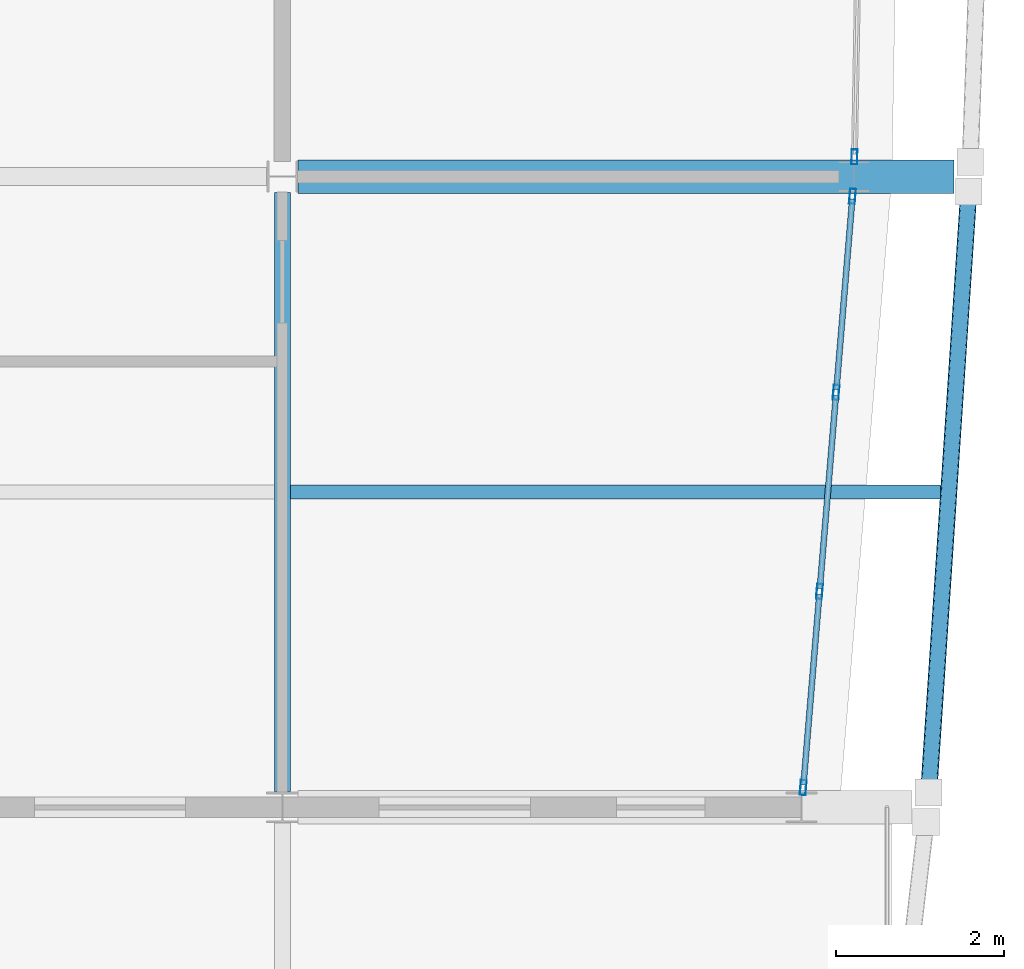
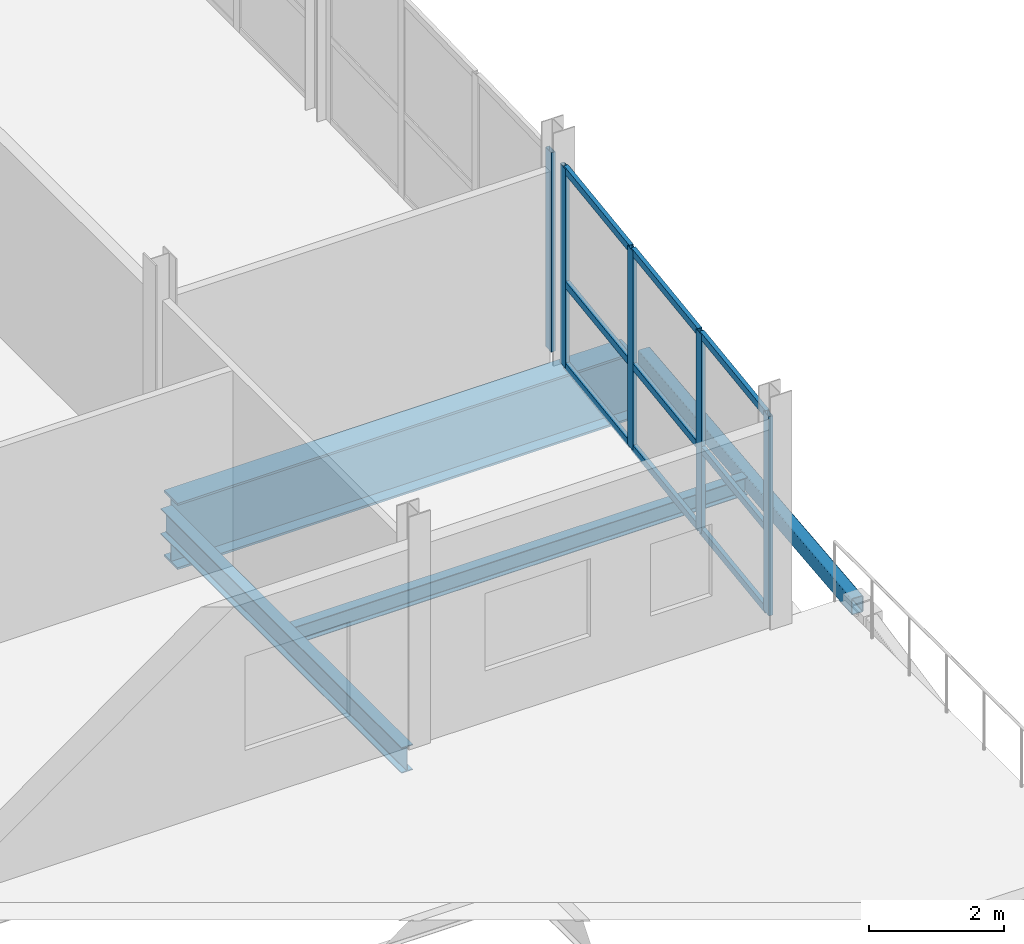
# One storey, part 3 of 19: 14 members, 4 beams, 2 elements without a shape of their own.
"""IFC4 building model written with IfcOpenShell, lengths in metres."""

from ifc_helpers import new_model, si_unit, direction, frame, origin, origin_2d, place, context, subcontext, project, spatial, hollow_rectangle, i_section, extrude, material, layer, layer_set, material_profile, profile_set, type_object, element, aggregate, save


model = new_model("IFC4")

# Units and contexts
model_context = context("Model", 3, precision=1e-05, world=origin(), true_north=direction((0.0, 1.0)))
body_context = subcontext(model_context, "Body", "Model", "MODEL_VIEW")
ifc_project = project(units=[si_unit("LENGTHUNIT", "METRE"), si_unit("AREAUNIT", "SQUARE_METRE"), si_unit("VOLUMEUNIT", "CUBIC_METRE"), si_unit("PLANEANGLEUNIT", "RADIAN"), si_unit("MASSUNIT", "GRAM", prefix="KILO")], contexts=[model_context])

# Site, building, storey
site_placement = place(None, origin())
site = spatial("IfcSite", under=ifc_project, at=site_placement, CompositionType="ELEMENT")
building_placement = place(site_placement, origin())
building = spatial("IfcBuilding", under=site, at=building_placement, Name="Quillay Park Conservatory", CompositionType="ELEMENT")
storey_placement = place(building_placement, frame((0.0, 0.0, 35.10009765625)))
storey = spatial("IfcBuildingStorey", under=building, at=storey_placement, Name="L08", CompositionType="ELEMENT", Elevation=35.10009765625)

# Beam
ifc_material_1 = material(Name="Steel ASTM A992 Grade 50", Category="steel")
ifc_material_profile_1 = material_profile(ifc_material_1, i_section(OverallWidth=0.166015625, OverallDepth=0.31298828125, WebThickness=0.006591796875, FlangeThickness=0.01123046875, FilletRadius=0.010009765625, at=origin_2d()), Name="W310x45")
ifc_profile_set_1 = profile_set([ifc_material_profile_1], Name="Steel ASTM A992 Grade 50")
beam_type_1 = type_object("IfcBeamType", Name="COMPOSITE FLOOR JOIST W310 X45", PredefinedType="JOIST", material=ifc_profile_set_1)
beam_1_placement = place(storey_placement, frame((19.845947265625, 74.25, -0.37158203125), z_axis=(1.0, 0.0, 0.0), x_axis=(0.0, 1.0, 0.0)))
element("IfcBeam", 1, at=beam_1_placement, inside=storey, type_object=beam_type_1, Name="L08 beam BM-J-0618", PredefinedType="JOIST", context=body_context, shape_type="SweptSolid", body=[
    extrude(i_section(OverallWidth=0.166015625, OverallDepth=0.31298828125, WebThickness=0.006591796875, FlangeThickness=0.01123046875, FilletRadius=0.010009765625, at=origin_2d()), origin(), (0.0, 0.0, 1.0), 7.72900390625),
])

# Curtain wall, members
ifc_material_2 = material(Name="Thermally Broken Anodised Aluminium 6063-T6", Category="aluminium")
ifc_layer = layer(ifc_material_2, 0.179931640625)
ifc_layer_set = layer_set([ifc_layer], Name="UNITISED CURTAIN WALL TOWER (Thermally Broken Anodised Aluminium 6063-T6)")
curtain_wall_type = type_object("IfcCurtainWallType", Name="UNITISED CURTAIN WALL TOWER", PredefinedType="USERDEFINED", material=ifc_layer_set)
curtain_wall_1_placement = place(storey_placement, origin())
curtain_wall_1 = element("IfcCurtainWall", 2, at=curtain_wall_1_placement, inside=storey, type_object=curtain_wall_type, Name="L08 Unitised Curtain Wall 078", ObjectType="UNITISED CURTAIN WALL", PredefinedType="USERDEFINED")
ifc_material_3 = material(Name="Thermally Broken Anodised Aluminium 6063-T6", Category="aluminium")
ifc_material_profile_2 = material_profile(ifc_material_3, hollow_rectangle(XDim=0.070068359375, YDim=0.179931640625, WallThickness=0.00390625, at=origin_2d()), Name="AL70x180x4")
ifc_profile_set_2 = profile_set([ifc_material_profile_2], Name="Thermally Broken Anodised Aluminium 6063-T6")
member_type_1 = type_object("IfcMemberType", Name="CURTAIN WALL MULLION 70 X180", PredefinedType="MULLION", material=ifc_profile_set_2)
member_1_placement = place(storey_placement, frame((26.530517578125, 77.765869140625, 0.0), z_axis=(0.0, 0.0, 1.0), x_axis=(0.996545564682, -0.083047802572, 0.0)))
member_1 = element("IfcMember", 3, at=member_1_placement, type_object=member_type_1, Name="CW-T1 mullion 1", PredefinedType="MULLION", context=body_context, shape_type="SweptSolid", body=[
    extrude(hollow_rectangle(XDim=0.070068359375, YDim=0.179931640625, WallThickness=0.00390625, at=origin_2d()), origin(), (0.0, 0.0, 1.0), 3.598876953125),
])
member_2_placement = place(storey_placement, frame((26.336181640625, 75.43359375, 0.0), z_axis=(0.0, 0.0, 1.0), x_axis=(0.996545564682, -0.083047802572, 0.0)))
member_2 = element("IfcMember", 4, at=member_2_placement, type_object=member_type_1, Name="CW-T1 mullion 2", PredefinedType="MULLION", context=body_context, shape_type="SweptSolid", body=[
    extrude(hollow_rectangle(XDim=0.070068359375, YDim=0.179931640625, WallThickness=0.00390625, at=origin_2d()), origin(), (0.0, 0.0, 1.0), 3.598876953125),
])
member_3_placement = place(storey_placement, frame((26.138916015625, 73.06640625, 0.0), z_axis=(0.0, 0.0, 1.0), x_axis=(0.996545564682, -0.083047802572, 0.0)))
member_3 = element("IfcMember", 5, at=member_3_placement, type_object=member_type_1, Name="CW-T1 mullion 3", PredefinedType="MULLION", context=body_context, shape_type="SweptSolid", body=[
    extrude(hollow_rectangle(XDim=0.070068359375, YDim=0.179931640625, WallThickness=0.00390625, at=origin_2d()), origin(), (0.0, 0.0, 1.0), 3.598876953125),
])
member_4_placement = place(storey_placement, frame((25.944580078125, 70.734130859375, 0.0), z_axis=(0.0, 0.0, 1.0), x_axis=(0.996545564682, -0.083047802572, 0.0)))
member_4 = element("IfcMember", 6, at=member_4_placement, type_object=member_type_1, Name="CW-T1 mullion 4", PredefinedType="MULLION", context=body_context, shape_type="SweptSolid", body=[
    extrude(hollow_rectangle(XDim=0.070068359375, YDim=0.179931640625, WallThickness=0.00390625, at=origin_2d()), origin(), (0.0, 0.0, 1.0), 3.598876953125),
])

# Curtain wall, member
curtain_wall_2_placement = place(storey_placement, origin())
curtain_wall_2 = element("IfcCurtainWall", 7, at=curtain_wall_2_placement, inside=storey, type_object=curtain_wall_type, Name="L08 Unitised Curtain Wall 079", ObjectType="UNITISED CURTAIN WALL", PredefinedType="USERDEFINED")
member_5_placement = place(storey_placement, frame((26.55419921875, 78.235107421875, 0.0), z_axis=(0.0, 0.0, 1.0), x_axis=(0.999849471711, -0.017350329071, 0.0)))
member_5 = element("IfcMember", 8, at=member_5_placement, type_object=member_type_1, Name="CW-T1 mullion 4", PredefinedType="MULLION", context=body_context, shape_type="SweptSolid", body=[
    extrude(hollow_rectangle(XDim=0.070068359375, YDim=0.179931640625, WallThickness=0.00390625, at=origin_2d()), origin(), (0.0, 0.0, 1.0), 3.598876953125),
])
aggregate(curtain_wall_2, [member_5])

# Member
ifc_material_4 = material(Name="Thermally Broken Anodised Aluminium 6063-T6", Category="aluminium")
ifc_material_profile_3 = material_profile(ifc_material_4, hollow_rectangle(XDim=0.070068359375, YDim=0.1298828125, WallThickness=0.003173828125, at=origin_2d()), Name="AL70x130x3.2")
ifc_profile_set_3 = profile_set([ifc_material_profile_3], Name="Thermally Broken Anodised Aluminium 6063-T6")
member_type_2 = type_object("IfcMemberType", Name="CURTAIN WALL TRANSOM 70 X130", PredefinedType="USERDEFINED", material=ifc_profile_set_3)
member_6_placement = place(storey_placement, frame((26.527587890625, 77.73095703125, 0.034912109375), z_axis=(-0.083018780913, -0.996547982796, 0.0), x_axis=(0.996547982796, -0.083018780913, 0.0)))
member_6 = element("IfcMember", 9, at=member_6_placement, type_object=member_type_2, Name="CW-T1 transom 1.1", ObjectType="TRANSOM", PredefinedType="USERDEFINED", context=body_context, shape_type="SweptSolid", body=[
    extrude(hollow_rectangle(XDim=0.070068359375, YDim=0.1298828125, WallThickness=0.003173828125, at=origin_2d()), origin(), (0.0, 0.0, 1.0), 2.270263671875),
])

member_7_placement = place(storey_placement, frame((26.527587890625, 77.73095703125, 1.511474609375), z_axis=(-0.083018780913, -0.996547982796, 0.0), x_axis=(0.996547982796, -0.083018780913, 0.0)))
member_7 = element("IfcMember", 10, at=member_7_placement, type_object=member_type_2, Name="CW-T1 transom 1.2", ObjectType="TRANSOM", PredefinedType="USERDEFINED", context=body_context, shape_type="SweptSolid", body=[
    extrude(hollow_rectangle(XDim=0.070068359375, YDim=0.1298828125, WallThickness=0.003173828125, at=origin_2d()), origin(), (0.0, 0.0, 1.0), 2.270263671875),
])

member_8_placement = place(storey_placement, frame((26.527587890625, 77.73095703125, 3.56396484375), z_axis=(-0.083018780913, -0.996547982796, 0.0), x_axis=(0.996547982796, -0.083018780913, 0.0)))
member_8 = element("IfcMember", 11, at=member_8_placement, type_object=member_type_2, Name="CW-T1 transom 1.3", ObjectType="TRANSOM", PredefinedType="USERDEFINED", context=body_context, shape_type="SweptSolid", body=[
    extrude(hollow_rectangle(XDim=0.070068359375, YDim=0.1298828125, WallThickness=0.003173828125, at=origin_2d()), origin(), (0.0, 0.0, 1.0), 2.270263671875),
])

member_9_placement = place(storey_placement, frame((26.333251953125, 75.398681640625, 0.034912109375), z_axis=(-0.083027951069, -0.996547218822, 0.0), x_axis=(0.996547218822, -0.083027951069, 0.0)))
member_9 = element("IfcMember", 12, at=member_9_placement, type_object=member_type_2, Name="CW-T1 transom 2.1", ObjectType="TRANSOM", PredefinedType="USERDEFINED", context=body_context, shape_type="SweptSolid", body=[
    extrude(hollow_rectangle(XDim=0.070068359375, YDim=0.1298828125, WallThickness=0.003173828125, at=origin_2d()), origin(), (0.0, 0.0, 1.0), 2.305419921875),
])

member_10_placement = place(storey_placement, frame((26.333251953125, 75.398681640625, 1.511474609375), z_axis=(-0.083027951069, -0.996547218822, 0.0), x_axis=(0.996547218822, -0.083027951069, 0.0)))
member_10 = element("IfcMember", 13, at=member_10_placement, type_object=member_type_2, Name="CW-T1 transom 2.2", ObjectType="TRANSOM", PredefinedType="USERDEFINED", context=body_context, shape_type="SweptSolid", body=[
    extrude(hollow_rectangle(XDim=0.070068359375, YDim=0.1298828125, WallThickness=0.003173828125, at=origin_2d()), origin(), (0.0, 0.0, 1.0), 2.305419921875),
])

member_11_placement = place(storey_placement, frame((26.333251953125, 75.398681640625, 3.56396484375), z_axis=(-0.083027951069, -0.996547218822, 0.0), x_axis=(0.996547218822, -0.083027951069, 0.0)))
member_11 = element("IfcMember", 14, at=member_11_placement, type_object=member_type_2, Name="CW-T1 transom 2.3", ObjectType="TRANSOM", PredefinedType="USERDEFINED", context=body_context, shape_type="SweptSolid", body=[
    extrude(hollow_rectangle(XDim=0.070068359375, YDim=0.1298828125, WallThickness=0.003173828125, at=origin_2d()), origin(), (0.0, 0.0, 1.0), 2.305419921875),
])

member_12_placement = place(storey_placement, frame((26.135986328125, 73.031494140625, 0.034912109375), z_axis=(-0.083018780913, -0.996547982796, 0.0), x_axis=(0.996547982796, -0.083018780913, 0.0)))
member_12 = element("IfcMember", 15, at=member_12_placement, type_object=member_type_2, Name="CW-T1 transom 3.1", ObjectType="TRANSOM", PredefinedType="USERDEFINED", context=body_context, shape_type="SweptSolid", body=[
    extrude(hollow_rectangle(XDim=0.070068359375, YDim=0.1298828125, WallThickness=0.003173828125, at=origin_2d()), origin(), (0.0, 0.0, 1.0), 2.270263671875),
])

member_13_placement = place(storey_placement, frame((26.135986328125, 73.031494140625, 1.511474609375), z_axis=(-0.083018780913, -0.996547982796, 0.0), x_axis=(0.996547982796, -0.083018780913, 0.0)))
member_13 = element("IfcMember", 16, at=member_13_placement, type_object=member_type_2, Name="CW-T1 transom 3.2", ObjectType="TRANSOM", PredefinedType="USERDEFINED", context=body_context, shape_type="SweptSolid", body=[
    extrude(hollow_rectangle(XDim=0.070068359375, YDim=0.1298828125, WallThickness=0.003173828125, at=origin_2d()), origin(), (0.0, 0.0, 1.0), 2.270263671875),
])

member_14_placement = place(storey_placement, frame((26.135986328125, 73.031494140625, 3.56396484375), z_axis=(-0.083018780913, -0.996547982796, 0.0), x_axis=(0.996547982796, -0.083018780913, 0.0)))
member_14 = element("IfcMember", 17, at=member_14_placement, type_object=member_type_2, Name="CW-T1 transom 3.3", ObjectType="TRANSOM", PredefinedType="USERDEFINED", context=body_context, shape_type="SweptSolid", body=[
    extrude(hollow_rectangle(XDim=0.070068359375, YDim=0.1298828125, WallThickness=0.003173828125, at=origin_2d()), origin(), (0.0, 0.0, 1.0), 2.270263671875),
])

aggregate(curtain_wall_1, [member_1, member_2, member_3, member_4, member_6, member_7, member_8, member_9, member_10, member_11, member_12, member_13, member_14])

# Beams
ifc_material_5 = material(Name="Steel S355J2H", Category="steel")
ifc_material_profile_4 = material_profile(ifc_material_5, hollow_rectangle(XDim=0.199951171875, YDim=0.300048828125, WallThickness=0.012451171875, InnerFilletRadius=0.012451171875, OuterFilletRadius=0.02490234375, at=origin_2d()), Name="RHS300x200x12.5")
ifc_profile_set_4 = profile_set([ifc_material_profile_4], Name="Steel S355J2H")
beam_type_2 = type_object("IfcBeamType", Name="PERIMETER SPANDREL BEAM RHS300", PredefinedType="SPANDREL", material=ifc_profile_set_4)
beam_2_placement = place(storey_placement, frame((27.4375, 70.685546875, -0.364990234375), z_axis=(0.066496330788, 0.99778666958, 0.0), x_axis=(-0.99778666958, 0.066496330788, 0.0)))
element("IfcBeam", 18, at=beam_2_placement, inside=storey, type_object=beam_type_2, Name="L08 beam BM-SPE-0614", PredefinedType="SPANDREL", context=body_context, shape_type="SweptSolid", body=[
    extrude(hollow_rectangle(XDim=0.199951171875, YDim=0.300048828125, WallThickness=0.012451171875, InnerFilletRadius=0.012451171875, OuterFilletRadius=0.02490234375, at=origin_2d()), origin(), (0.0, 0.0, 1.0), 7.144775390625),
])
ifc_material_6 = material(Name="Steel ASTM A992 Grade 50", Category="steel")
ifc_material_profile_5 = material_profile(ifc_material_6, i_section(OverallWidth=0.19189453125, OverallDepth=0.462890625, WebThickness=0.010498046875, FlangeThickness=0.017578125, FilletRadius=0.012939453125, at=origin_2d()), Name="W460x89")
ifc_profile_set_5 = profile_set([ifc_material_profile_5], Name="Steel ASTM A992 Grade 50")
beam_type_3 = type_object("IfcBeamType", Name="PRIMARY FLOOR GIRDER W460 X89", PredefinedType="BEAM", material=ifc_profile_set_5)
beam_3_placement = place(storey_placement, frame((19.75, 70.68701171875, -0.446533203125), z_axis=(0.0, 1.0, 0.0), x_axis=(-1.0, 0.0, 0.0)))
element("IfcBeam", 19, at=beam_3_placement, inside=storey, type_object=beam_type_3, Name="L08 beam BM-GNS-0616", PredefinedType="BEAM", context=body_context, shape_type="SweptSolid", body=[
    extrude(i_section(OverallWidth=0.19189453125, OverallDepth=0.462890625, WebThickness=0.010498046875, FlangeThickness=0.017578125, FilletRadius=0.012939453125, at=origin_2d()), origin(), (0.0, 0.0, 1.0), 7.126953125),
])
ifc_material_7 = material(Name="Steel ASTM A572 Grade 50", Category="steel")
ifc_material_profile_6 = material_profile(ifc_material_7, i_section(OverallWidth=0.39990234375, OverallDepth=1.199951171875, WebThickness=0.02001953125, FlangeThickness=0.0380859375, at=origin_2d()), Name="IG1200x400")
ifc_profile_set_6 = profile_set([ifc_material_profile_6], Name="Steel ASTM A572 Grade 50")
beam_type_4 = type_object("IfcBeamType", Name="TRANSFER PLATE GIRDER IG1200", PredefinedType="USERDEFINED", material=ifc_profile_set_6)
beam_4_placement = place(storey_placement, frame((19.93701171875, 78.0, -0.815185546875), z_axis=(1.0, 0.0, 0.0), x_axis=(0.0, 1.0, 0.0)))
element("IfcBeam", 20, at=beam_4_placement, inside=storey, type_object=beam_type_4, Name="L08 beam BM-TG2-0592", ObjectType="TRANSFER PLATE GIRDER", PredefinedType="USERDEFINED", context=body_context, shape_type="SweptSolid", body=[
    extrude(i_section(OverallWidth=0.39990234375, OverallDepth=1.199951171875, WebThickness=0.02001953125, FlangeThickness=0.0380859375, at=origin_2d()), origin(), (0.0, 0.0, 1.0), 7.801025390625),
])

save(model, "model.ifc")
